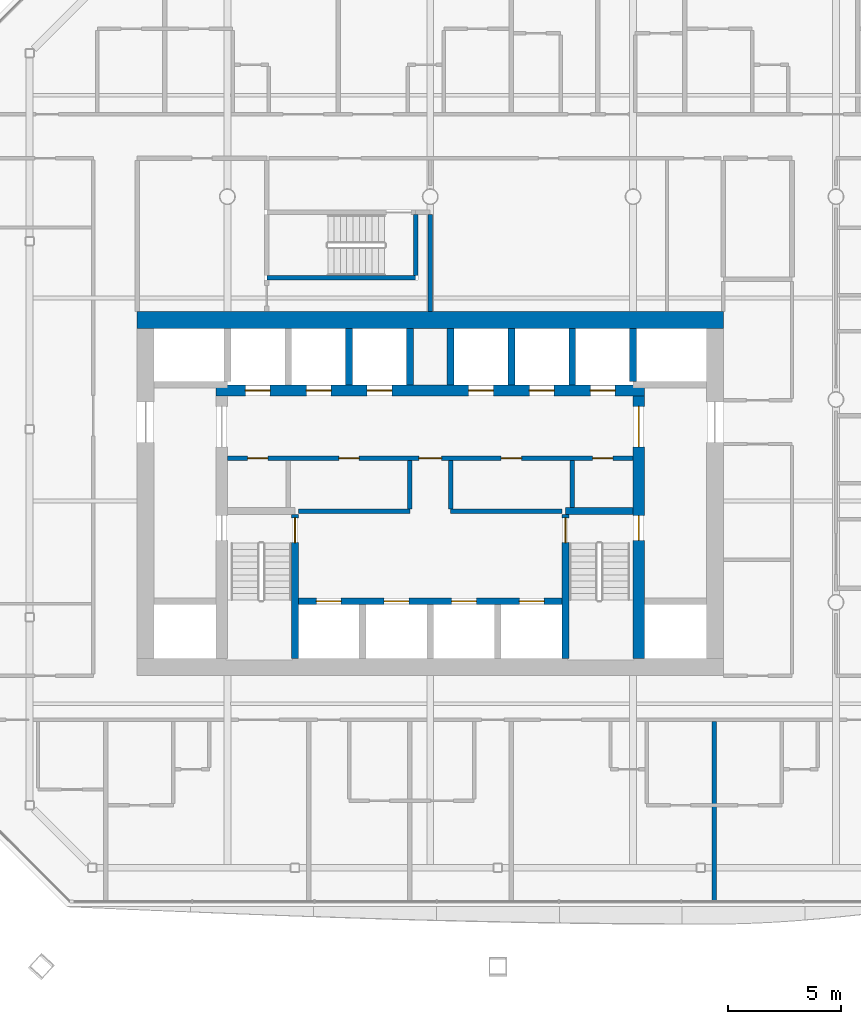
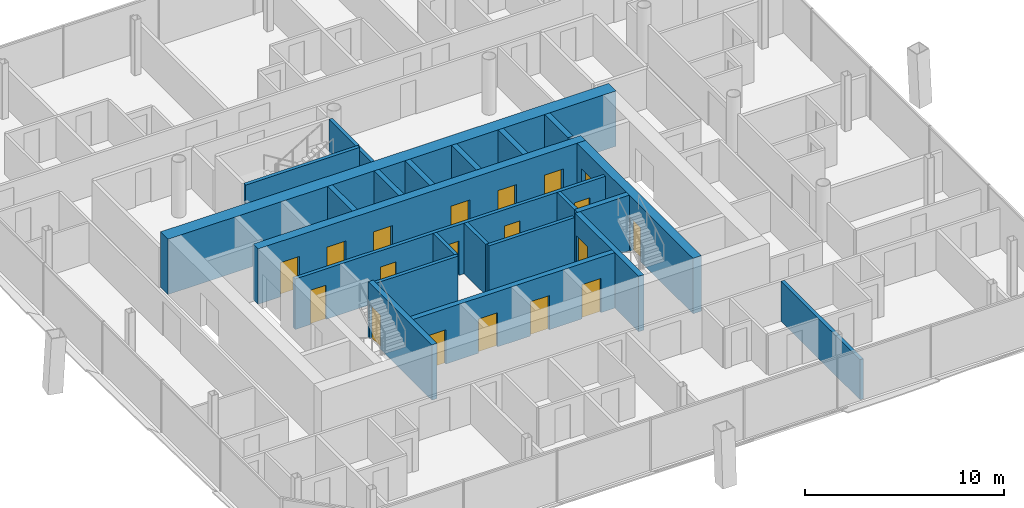
# One storey, part 12 of 18: 23 walls, 19 doors, 19 openings.
"""IFC4 building model written with IfcOpenShell, lengths in metres."""

from ifc_helpers import new_model, si_unit, direction, frame, frame_2d, origin, place, context, subcontext, project, spatial, rectangle, extrude, material, layer, layer_set, type_object, element, fill, save


model = new_model("IFC4")

# Units and contexts
model_context = context("Model", 3, precision=1e-05, world=origin(), true_north=direction((0.0, 1.0)))
body_context = subcontext(model_context, "Body", "Model", "MODEL_VIEW")
ifc_project = project(units=[si_unit("LENGTHUNIT", "METRE"), si_unit("AREAUNIT", "SQUARE_METRE"), si_unit("VOLUMEUNIT", "CUBIC_METRE"), si_unit("PLANEANGLEUNIT", "RADIAN"), si_unit("MASSUNIT", "GRAM", prefix="KILO")], contexts=[model_context])

# Site, building, storey
site_placement = place(None, origin())
site = spatial("IfcSite", under=ifc_project, at=site_placement, CompositionType="ELEMENT")
building_placement = place(site_placement, origin())
building = spatial("IfcBuilding", under=site, at=building_placement, Name="Tskaro Facet Tower", CompositionType="ELEMENT")
storey_placement = place(building_placement, frame((0.0, 0.0, 145.300048828125)))
storey = spatial("IfcBuildingStorey", under=building, at=storey_placement, Name="L35", CompositionType="ELEMENT", Elevation=145.300048828125)

# Wall, openings, doors
ifc_material_1 = material(Name="Concrete C60/75", Category="concrete")
ifc_layer_1 = layer(ifc_material_1, 0.300048828125, Name="Concrete C60/75")
ifc_layer_set_1 = layer_set([ifc_layer_1], Name="Concrete C60/75")
wall_type_1 = type_object("IfcWallType", Name="CORE-SHAFT", PredefinedType="SHEAR", material=ifc_layer_set_1)
wall_1_placement = place(storey_placement, frame((-5.85009765625, -8.949951171875, 0.0), z_axis=(0.0, 0.0, 1.0), x_axis=(1.0, 0.0, 0.0)))
wall_1 = element("IfcWall", 1, at=wall_1_placement, inside=storey, type_object=wall_type_1, Name="Shaft wall W014", PredefinedType="SHEAR", context=body_context, shape_type="SweptSolid", body=[
    extrude(rectangle(XDim=11.7001953125, YDim=0.300048828125, at=frame_2d((5.85009765625, 0.0))), origin(), (0.0, 0.0, 1.0), 3.39990234375),
])
opening_1_placement = place(wall_1_placement, frame((0.800048828125, 0.0, 0.0)))
opening_1 = element("IfcOpeningElement", 2, at=opening_1_placement, cuts=wall_1, Name="Opening LD-FF1", PredefinedType="OPENING", context=body_context, shape_type="SweptSolid", body=[
    extrude(rectangle(XDim=1.10009765625, YDim=2.10009765625, at=frame_2d((0.550048828125, 1.050048828125))), frame((0.0, 0.159912109375, 0.0), z_axis=(0.0, -1.0, 0.0), x_axis=(1.0, 0.0, 0.0)), (0.0, 0.0, 1.0), 0.320068359375),
])
opening_2_placement = place(wall_1_placement, frame((3.800048828125, 0.0, 0.0)))
opening_2 = element("IfcOpeningElement", 3, at=opening_2_placement, cuts=wall_1, Name="Opening LD-FF2", PredefinedType="OPENING", context=body_context, shape_type="SweptSolid", body=[
    extrude(rectangle(XDim=1.10009765625, YDim=2.10009765625, at=frame_2d((0.550048828125, 1.050048828125))), frame((0.0, 0.159912109375, 0.0), z_axis=(0.0, -1.0, 0.0), x_axis=(1.0, 0.0, 0.0)), (0.0, 0.0, 1.0), 0.320068359375),
])
opening_3_placement = place(wall_1_placement, frame((6.800048828125, 0.0, 0.0)))
opening_3 = element("IfcOpeningElement", 4, at=opening_3_placement, cuts=wall_1, Name="Opening LD-SV1", PredefinedType="OPENING", context=body_context, shape_type="SweptSolid", body=[
    extrude(rectangle(XDim=1.10009765625, YDim=2.10009765625, at=frame_2d((0.550048828125, 1.050048828125))), frame((0.0, 0.159912109375, 0.0), z_axis=(0.0, -1.0, 0.0), x_axis=(1.0, 0.0, 0.0)), (0.0, 0.0, 1.0), 0.320068359375),
])
opening_4_placement = place(wall_1_placement, frame((9.800048828125, 0.0, 0.0)))
opening_4 = element("IfcOpeningElement", 5, at=opening_4_placement, cuts=wall_1, Name="Opening LD-SV2", PredefinedType="OPENING", context=body_context, shape_type="SweptSolid", body=[
    extrude(rectangle(XDim=1.10009765625, YDim=2.10009765625, at=frame_2d((0.550048828125, 1.050048828125))), frame((0.0, 0.159912109375, 0.0), z_axis=(0.0, -1.0, 0.0), x_axis=(1.0, 0.0, 0.0)), (0.0, 0.0, 1.0), 0.320068359375),
])
ifc_material_2 = material(Name="Stainless steel", Category="steel")
door_type_1 = type_object("IfcDoorType", Name="D-LANDING", OperationType="NOTDEFINED", PredefinedType="DOOR", material=ifc_material_2)
door_1_placement = place(opening_1_placement, origin())
door_1 = element("IfcDoor", 6, at=door_1_placement, inside=storey, type_object=door_type_1, Name="Landing door FF1", OperationType="DOUBLE_DOOR_SLIDING", OverallHeight=2.10009765625, OverallWidth=1.10009765625, PredefinedType="DOOR", context=body_context, shape_type="SweptSolid", body=[
    extrude(rectangle(XDim=1.10009765625, YDim=2.10009765625, at=frame_2d((0.550048828125, 1.050048828125))), frame((0.0, 0.02490234375, 0.0), z_axis=(0.0, -1.0, 0.0), x_axis=(1.0, 0.0, 0.0)), (0.0, 0.0, 1.0), 0.050048828125),
])
fill(opening_1, door_1)
door_2_placement = place(opening_2_placement, origin())
door_2 = element("IfcDoor", 7, at=door_2_placement, inside=storey, type_object=door_type_1, Name="Landing door FF2", OperationType="DOUBLE_DOOR_SLIDING", OverallHeight=2.10009765625, OverallWidth=1.10009765625, PredefinedType="DOOR", context=body_context, shape_type="SweptSolid", body=[
    extrude(rectangle(XDim=1.10009765625, YDim=2.10009765625, at=frame_2d((0.550048828125, 1.050048828125))), frame((0.0, 0.02490234375, 0.0), z_axis=(0.0, -1.0, 0.0), x_axis=(1.0, 0.0, 0.0)), (0.0, 0.0, 1.0), 0.050048828125),
])
fill(opening_2, door_2)
door_3_placement = place(opening_3_placement, origin())
door_3 = element("IfcDoor", 8, at=door_3_placement, inside=storey, type_object=door_type_1, Name="Landing door SV1", OperationType="DOUBLE_DOOR_SLIDING", OverallHeight=2.10009765625, OverallWidth=1.10009765625, PredefinedType="DOOR", context=body_context, shape_type="SweptSolid", body=[
    extrude(rectangle(XDim=1.10009765625, YDim=2.10009765625, at=frame_2d((0.550048828125, 1.050048828125))), frame((0.0, 0.02490234375, 0.0), z_axis=(0.0, -1.0, 0.0), x_axis=(1.0, 0.0, 0.0)), (0.0, 0.0, 1.0), 0.050048828125),
])
fill(opening_3, door_3)
door_4_placement = place(opening_4_placement, origin())
door_4 = element("IfcDoor", 9, at=door_4_placement, inside=storey, type_object=door_type_1, Name="Landing door SV2", OperationType="DOUBLE_DOOR_SLIDING", OverallHeight=2.10009765625, OverallWidth=1.10009765625, PredefinedType="DOOR", context=body_context, shape_type="SweptSolid", body=[
    extrude(rectangle(XDim=1.10009765625, YDim=2.10009765625, at=frame_2d((0.550048828125, 1.050048828125))), frame((0.0, 0.02490234375, 0.0), z_axis=(0.0, -1.0, 0.0), x_axis=(1.0, 0.0, 0.0)), (0.0, 0.0, 1.0), 0.050048828125),
])
fill(opening_4, door_4)

# Wall
wall_2_placement = place(storey_placement, frame((6.0, -4.949951171875, 0.0), z_axis=(0.0, 0.0, 1.0), x_axis=(1.0, 0.0, 0.0)))
element("IfcWall", 10, at=wall_2_placement, inside=storey, type_object=wall_type_1, Name="Shaft wall W022", PredefinedType="SHEAR", context=body_context, shape_type="SweptSolid", body=[
    extrude(rectangle(XDim=3.0, YDim=0.300048828125, at=frame_2d((1.5, 0.0))), origin(), (0.0, 0.0, 1.0), 3.39990234375),
])

# Wall, opening, door
wall_3_placement = place(storey_placement, frame((-6.0, -11.5, 0.0), z_axis=(0.0, 0.0, 1.0), x_axis=(0.0, 1.0, 0.0)))
wall_3 = element("IfcWall", 11, at=wall_3_placement, inside=storey, type_object=wall_type_1, Name="Shaft wall W070", PredefinedType="SHEAR", context=body_context, shape_type="SweptSolid", body=[
    extrude(rectangle(XDim=6.39990234375, YDim=0.300048828125, at=frame_2d((3.199951171875, 0.0))), origin(), (0.0, 0.0, 1.0), 3.39990234375),
])
opening_5_placement = place(wall_3_placement, frame((5.14990234375, 0.0, 0.0)))
opening_5 = element("IfcOpeningElement", 12, at=opening_5_placement, cuts=wall_3, Name="Opening ST-1-D1", PredefinedType="OPENING", context=body_context, shape_type="SweptSolid", body=[
    extrude(rectangle(XDim=1.10009765625, YDim=2.10009765625, at=frame_2d((0.550048828125, 1.050048828125))), frame((0.0, 0.159912109375, 0.0), z_axis=(0.0, -1.0, 0.0), x_axis=(1.0, 0.0, 0.0)), (0.0, 0.0, 1.0), 0.320068359375),
])
ifc_material_3 = material(Name="Steel", Category="steel")
door_type_2 = type_object("IfcDoorType", Name="D-STAIR", OperationType="NOTDEFINED", PredefinedType="DOOR", material=ifc_material_3)
door_5_placement = place(opening_5_placement, origin())
door_5 = element("IfcDoor", 13, at=door_5_placement, inside=storey, type_object=door_type_2, Name="Stair door 1", OperationType="SINGLE_SWING_LEFT", OverallHeight=2.10009765625, OverallWidth=1.10009765625, PredefinedType="DOOR", context=body_context, shape_type="SweptSolid", body=[
    extrude(rectangle(XDim=1.10009765625, YDim=2.10009765625, at=frame_2d((0.550048828125, 1.050048828125))), frame((0.0, 0.02490234375, 0.0), z_axis=(0.0, -1.0, 0.0), x_axis=(1.0, 0.0, 0.0)), (0.0, 0.0, 1.0), 0.050048828125),
])
fill(opening_5, door_5)

# Walls
for number, where, z_axis, x_axis, name in (
    (14, (-3.60009765625, 0.64990234375, 0.0), (0.0, 0.0, 1.0), (0.0, 1.0, 0.0), "Shaft wall W074"),
    (15, (-0.89990234375, 0.64990234375, 0.0), (0.0, 0.0, 1.0), (0.0, 1.0, 0.0), "Shaft wall W079"),
    (16, (0.89990234375, 0.64990234375, 0.0), (0.0, 0.0, 1.0), (0.0, 1.0, 0.0), "Shaft wall W086"),
    (17, (3.60009765625, 0.64990234375, 0.0), (0.0, 0.0, 1.0), (0.0, 1.0, 0.0), "Shaft wall W090"),
):
    element("IfcWall", number, at=place(storey_placement, frame(where, z_axis=z_axis, x_axis=x_axis)), inside=storey, type_object=wall_type_1, Name=name, PredefinedType="SHEAR", context=body_context, shape_type="SweptSolid", body=[
        extrude(rectangle(XDim=2.5, YDim=0.300048828125, at=frame_2d((1.25, 0.0))), origin(), (0.0, 0.0, 1.0), 3.39990234375),
    ])

# Wall, opening, door
wall_4_placement = place(storey_placement, frame((6.0, -5.10009765625, 0.0), z_axis=(0.0, 0.0, 1.0), x_axis=(0.0, -1.0, 0.0)))
wall_4 = element("IfcWall", 18, at=wall_4_placement, inside=storey, type_object=wall_type_1, Name="Shaft wall W093", PredefinedType="SHEAR", context=body_context, shape_type="SweptSolid", body=[
    extrude(rectangle(XDim=6.39990234375, YDim=0.300048828125, at=frame_2d((3.199951171875, 0.0))), origin(), (0.0, 0.0, 1.0), 3.39990234375),
])
opening_6_placement = place(wall_4_placement, frame((0.14990234375, 0.0, 0.0)))
opening_6 = element("IfcOpeningElement", 19, at=opening_6_placement, cuts=wall_4, Name="Opening ST-2-D1", PredefinedType="OPENING", context=body_context, shape_type="SweptSolid", body=[
    extrude(rectangle(XDim=1.10009765625, YDim=2.10009765625, at=frame_2d((0.550048828125, 1.050048828125))), frame((0.0, 0.159912109375, 0.0), z_axis=(0.0, -1.0, 0.0), x_axis=(1.0, 0.0, 0.0)), (0.0, 0.0, 1.0), 0.320068359375),
])
door_6_placement = place(opening_6_placement, origin())
door_6 = element("IfcDoor", 20, at=door_6_placement, inside=storey, type_object=door_type_2, Name="Stair door 2", OperationType="SINGLE_SWING_RIGHT", OverallHeight=2.10009765625, OverallWidth=1.10009765625, PredefinedType="DOOR", context=body_context, shape_type="SweptSolid", body=[
    extrude(rectangle(XDim=1.10009765625, YDim=2.10009765625, at=frame_2d((0.550048828125, 1.050048828125))), frame((0.0, 0.02490234375, 0.0), z_axis=(0.0, -1.0, 0.0), x_axis=(1.0, 0.0, 0.0)), (0.0, 0.0, 1.0), 0.050048828125),
])
fill(opening_6, door_6)

# Walls
wall_5_placement = place(storey_placement, frame((6.300048828125, 0.64990234375, 0.0), z_axis=(0.0, 0.0, 1.0), x_axis=(0.0, 1.0, 0.0)))
element("IfcWall", 21, at=wall_5_placement, inside=storey, type_object=wall_type_1, Name="Shaft wall W095", PredefinedType="SHEAR", context=body_context, shape_type="SweptSolid", body=[
    extrude(rectangle(XDim=2.5, YDim=0.300048828125, at=frame_2d((1.25, 0.0))), origin(), (0.0, 0.0, 1.0), 3.39990234375),
])
wall_6_placement = place(storey_placement, frame((9.0, 0.800048828125, 0.0), z_axis=(0.0, 0.0, 1.0), x_axis=(0.0, 1.0, 0.0)))
element("IfcWall", 22, at=wall_6_placement, inside=storey, type_object=wall_type_1, Name="Shaft wall W098", PredefinedType="SHEAR", context=body_context, shape_type="SweptSolid", body=[
    extrude(rectangle(XDim=2.349853515625, YDim=0.300048828125, at=frame_2d((1.1748046875, 0.0))), origin(), (0.0, 0.0, 1.0), 3.39990234375),
])
ifc_material_4 = material(Name="Concrete C20/25", Category="concrete")
ifc_layer_2 = layer(ifc_material_4, 0.199951171875, Name="Concrete C20/25")
ifc_layer_set_2 = layer_set([ifc_layer_2], Name="Concrete C20/25")
wall_type_2 = type_object("IfcWallType", Name="CORE-WALL", PredefinedType="SOLIDWALL", material=ifc_layer_set_2)
for number, where, z_axis, x_axis, name in (
    (23, (-5.85009765625, -4.949951171875, 0.0), (0.0, 0.0, 1.0), (1.0, 0.0, 0.0), "Core room wall W020"),
    (24, (0.89990234375, -4.949951171875, 0.0), (0.0, 0.0, 1.0), (1.0, 0.0, 0.0), "Core room wall W021"),
):
    element("IfcWall", number, at=place(storey_placement, frame(where, z_axis=z_axis, x_axis=x_axis)), inside=storey, type_object=wall_type_2, Name=name, PredefinedType="SOLIDWALL", context=body_context, shape_type="SweptSolid", body=[
        extrude(rectangle(XDim=4.9501953125, YDim=0.199951171875, at=frame_2d((2.47509765625, 0.0))), origin(), (0.0, 0.0, 1.0), 3.099853515625),
    ])

# Wall, openings, doors
wall_7_placement = place(storey_placement, frame((9.0, -2.60009765625, 0.0), z_axis=(0.0, 0.0, 1.0), x_axis=(-1.0, 0.0, 0.0)))
wall_7 = element("IfcWall", 25, at=wall_7_placement, inside=storey, type_object=wall_type_2, Name="Core room wall W024", PredefinedType="SOLIDWALL", context=body_context, shape_type="SweptSolid", body=[
    extrude(rectangle(XDim=18.0, YDim=0.199951171875, at=frame_2d((9.0, 0.0))), origin(), (0.0, 0.0, 1.0), 3.099853515625),
])
opening_7_placement = place(wall_7_placement, frame((8.5, 0.0, 0.0)))
opening_7 = element("IfcOpeningElement", 26, at=opening_7_placement, cuts=wall_7, Name="Opening FL-D1", PredefinedType="OPENING", context=body_context, shape_type="SweptSolid", body=[
    extrude(rectangle(XDim=1.0, YDim=2.10009765625, at=frame_2d((0.5, 1.050048828125))), frame((0.0, 0.10986328125, 0.0), z_axis=(0.0, -1.0, 0.0), x_axis=(1.0, 0.0, 0.0)), (0.0, 0.0, 1.0), 0.219970703125),
])
opening_8_placement = place(wall_7_placement, frame((16.199951171875, 0.0, 0.0)))
opening_8 = element("IfcOpeningElement", 27, at=opening_8_placement, cuts=wall_7, Name="Opening T10-D24", PredefinedType="OPENING", context=body_context, shape_type="SweptSolid", body=[
    extrude(rectangle(XDim=0.89990234375, YDim=2.10009765625, at=frame_2d((0.449951171875, 1.050048828125))), frame((0.0, 0.10986328125, 0.0), z_axis=(0.0, -1.0, 0.0), x_axis=(1.0, 0.0, 0.0)), (0.0, 0.0, 1.0), 0.219970703125),
])
opening_9_placement = place(wall_7_placement, frame((12.14990234375, 0.0, 0.0)))
opening_9 = element("IfcOpeningElement", 28, at=opening_9_placement, cuts=wall_7, Name="Opening T10-D25", PredefinedType="OPENING", context=body_context, shape_type="SweptSolid", body=[
    extrude(rectangle(XDim=0.89990234375, YDim=2.10009765625, at=frame_2d((0.449951171875, 1.050048828125))), frame((0.0, 0.10986328125, 0.0), z_axis=(0.0, -1.0, 0.0), x_axis=(1.0, 0.0, 0.0)), (0.0, 0.0, 1.0), 0.219970703125),
])
opening_10_placement = place(wall_7_placement, frame((4.949951171875, 0.0, 0.0)))
opening_10 = element("IfcOpeningElement", 29, at=opening_10_placement, cuts=wall_7, Name="Opening T10-D26", PredefinedType="OPENING", context=body_context, shape_type="SweptSolid", body=[
    extrude(rectangle(XDim=0.89990234375, YDim=2.10009765625, at=frame_2d((0.449951171875, 1.050048828125))), frame((0.0, 0.10986328125, 0.0), z_axis=(0.0, -1.0, 0.0), x_axis=(1.0, 0.0, 0.0)), (0.0, 0.0, 1.0), 0.219970703125),
])
opening_11_placement = place(wall_7_placement, frame((0.89990234375, 0.0, 0.0)))
opening_11 = element("IfcOpeningElement", 30, at=opening_11_placement, cuts=wall_7, Name="Opening T10-D27", PredefinedType="OPENING", context=body_context, shape_type="SweptSolid", body=[
    extrude(rectangle(XDim=0.89990234375, YDim=2.10009765625, at=frame_2d((0.449951171875, 1.050048828125))), frame((0.0, 0.10986328125, 0.0), z_axis=(0.0, -1.0, 0.0), x_axis=(1.0, 0.0, 0.0)), (0.0, 0.0, 1.0), 0.219970703125),
])
door_type_3 = type_object("IfcDoorType", Name="D-LOBBY", OperationType="NOTDEFINED", PredefinedType="DOOR", material=ifc_material_3)
door_7_placement = place(opening_7_placement, origin())
door_7 = element("IfcDoor", 31, at=door_7_placement, inside=storey, type_object=door_type_3, Name="Lobby door FL", OperationType="SINGLE_SWING_RIGHT", OverallHeight=2.10009765625, OverallWidth=1.0, PredefinedType="DOOR", context=body_context, shape_type="SweptSolid", body=[
    extrude(rectangle(XDim=1.0, YDim=2.10009765625, at=frame_2d((0.5, 1.050048828125))), frame((0.0, 0.02490234375, 0.0), z_axis=(0.0, -1.0, 0.0), x_axis=(1.0, 0.0, 0.0)), (0.0, 0.0, 1.0), 0.050048828125),
])
fill(opening_7, door_7)
ifc_material_5 = material(Name="Timber", Category="wood")
door_type_4 = type_object("IfcDoorType", Name="D-ROOM", OperationType="NOTDEFINED", PredefinedType="DOOR", material=ifc_material_5)
door_8_placement = place(opening_8_placement, origin())
door_8 = element("IfcDoor", 32, at=door_8_placement, inside=storey, type_object=door_type_4, Name="Door T10-D24", OperationType="SINGLE_SWING_RIGHT", OverallHeight=2.10009765625, OverallWidth=0.89990234375, PredefinedType="DOOR", context=body_context, shape_type="SweptSolid", body=[
    extrude(rectangle(XDim=0.89990234375, YDim=2.10009765625, at=frame_2d((0.449951171875, 1.050048828125))), frame((0.0, 0.02490234375, 0.0), z_axis=(0.0, -1.0, 0.0), x_axis=(1.0, 0.0, 0.0)), (0.0, 0.0, 1.0), 0.050048828125),
])
fill(opening_8, door_8)
door_9_placement = place(opening_9_placement, origin())
door_9 = element("IfcDoor", 33, at=door_9_placement, inside=storey, type_object=door_type_4, Name="Door T10-D25", OperationType="SINGLE_SWING_RIGHT", OverallHeight=2.10009765625, OverallWidth=0.89990234375, PredefinedType="DOOR", context=body_context, shape_type="SweptSolid", body=[
    extrude(rectangle(XDim=0.89990234375, YDim=2.10009765625, at=frame_2d((0.449951171875, 1.050048828125))), frame((0.0, 0.02490234375, 0.0), z_axis=(0.0, -1.0, 0.0), x_axis=(1.0, 0.0, 0.0)), (0.0, 0.0, 1.0), 0.050048828125),
])
fill(opening_9, door_9)
door_10_placement = place(opening_10_placement, origin())
door_10 = element("IfcDoor", 34, at=door_10_placement, inside=storey, type_object=door_type_4, Name="Door T10-D26", OperationType="SINGLE_SWING_RIGHT", OverallHeight=2.10009765625, OverallWidth=0.89990234375, PredefinedType="DOOR", context=body_context, shape_type="SweptSolid", body=[
    extrude(rectangle(XDim=0.89990234375, YDim=2.10009765625, at=frame_2d((0.449951171875, 1.050048828125))), frame((0.0, 0.02490234375, 0.0), z_axis=(0.0, -1.0, 0.0), x_axis=(1.0, 0.0, 0.0)), (0.0, 0.0, 1.0), 0.050048828125),
])
fill(opening_10, door_10)
door_11_placement = place(opening_11_placement, origin())
door_11 = element("IfcDoor", 35, at=door_11_placement, inside=storey, type_object=door_type_4, Name="Door T10-D27", OperationType="SINGLE_SWING_RIGHT", OverallHeight=2.10009765625, OverallWidth=0.89990234375, PredefinedType="DOOR", context=body_context, shape_type="SweptSolid", body=[
    extrude(rectangle(XDim=0.89990234375, YDim=2.10009765625, at=frame_2d((0.449951171875, 1.050048828125))), frame((0.0, 0.02490234375, 0.0), z_axis=(0.0, -1.0, 0.0), x_axis=(1.0, 0.0, 0.0)), (0.0, 0.0, 1.0), 0.050048828125),
])
fill(opening_11, door_11)

# Walls
for number, where, z_axis, x_axis, name in (
    (36, (-0.89990234375, -4.85009765625, 0.0), (0.0, 0.0, 1.0), (0.0, 1.0, 0.0), "Core room wall W078"),
    (37, (0.89990234375, -4.85009765625, 0.0), (0.0, 0.0, 1.0), (0.0, 1.0, 0.0), "Core room wall W085"),
):
    element("IfcWall", number, at=place(storey_placement, frame(where, z_axis=z_axis, x_axis=x_axis)), inside=storey, type_object=wall_type_2, Name=name, PredefinedType="SOLIDWALL", context=body_context, shape_type="SweptSolid", body=[
        extrude(rectangle(XDim=2.150146484375, YDim=0.199951171875, at=frame_2d((1.0751953125, 0.0))), origin(), (0.0, 0.0, 1.0), 3.099853515625),
    ])
wall_8_placement = place(storey_placement, frame((6.300048828125, -4.800048828125, 0.0), z_axis=(0.0, 0.0, 1.0), x_axis=(0.0, 1.0, 0.0)))
element("IfcWall", 38, at=wall_8_placement, inside=storey, type_object=wall_type_2, Name="Core room wall W094", PredefinedType="SOLIDWALL", context=body_context, shape_type="SweptSolid", body=[
    extrude(rectangle(XDim=2.10009765625, YDim=0.199951171875, at=frame_2d((1.050048828125, 0.0))), origin(), (0.0, 0.0, 1.0), 3.099853515625),
])

# Wall, openings, doors
ifc_material_6 = material(Name="Concrete C40/50", Category="concrete")
ifc_layer_3 = layer(ifc_material_6, 0.5, Name="Concrete C40/50")
ifc_layer_set_3 = layer_set([ifc_layer_3], Name="Concrete C40/50")
wall_type_3 = type_object("IfcWallType", Name="Core wall 500", PredefinedType="SHEAR", material=ifc_layer_set_3)
wall_9_placement = place(storey_placement, frame((-9.5, 0.39990234375, 0.0), z_axis=(0.0, 0.0, 1.0), x_axis=(1.0, 0.0, 0.0)))
wall_9 = element("IfcWall", 39, at=wall_9_placement, inside=storey, type_object=wall_type_3, Name="Core wall CW-Z3N", PredefinedType="SHEAR", context=body_context, shape_type="SweptSolid", body=[
    extrude(rectangle(XDim=19.0, YDim=0.5, at=frame_2d((9.5, 0.0))), origin(), (0.0, 0.0, 1.0), 3.39990234375),
])
opening_12_placement = place(wall_9_placement, frame((1.300048828125, 0.0, 0.0)))
opening_12 = element("IfcOpeningElement", 40, at=opening_12_placement, cuts=wall_9, Name="Opening LD-MB1", PredefinedType="OPENING", context=body_context, shape_type="SweptSolid", body=[
    extrude(rectangle(XDim=1.10009765625, YDim=2.10009765625, at=frame_2d((0.550048828125, 1.050048828125))), frame((0.0, 0.260009765625, 0.0), z_axis=(0.0, -1.0, 0.0), x_axis=(1.0, 0.0, 0.0)), (0.0, 0.0, 1.0), 0.52001953125),
])
opening_13_placement = place(wall_9_placement, frame((4.0, 0.0, 0.0)))
opening_13 = element("IfcOpeningElement", 41, at=opening_13_placement, cuts=wall_9, Name="Opening LD-MB2", PredefinedType="OPENING", context=body_context, shape_type="SweptSolid", body=[
    extrude(rectangle(XDim=1.10009765625, YDim=2.10009765625, at=frame_2d((0.550048828125, 1.050048828125))), frame((0.0, 0.260009765625, 0.0), z_axis=(0.0, -1.0, 0.0), x_axis=(1.0, 0.0, 0.0)), (0.0, 0.0, 1.0), 0.52001953125),
])
opening_14_placement = place(wall_9_placement, frame((6.699951171875, 0.0, 0.0)))
opening_14 = element("IfcOpeningElement", 42, at=opening_14_placement, cuts=wall_9, Name="Opening LD-MB3", PredefinedType="OPENING", context=body_context, shape_type="SweptSolid", body=[
    extrude(rectangle(XDim=1.10009765625, YDim=2.10009765625, at=frame_2d((0.550048828125, 1.050048828125))), frame((0.0, 0.260009765625, 0.0), z_axis=(0.0, -1.0, 0.0), x_axis=(1.0, 0.0, 0.0)), (0.0, 0.0, 1.0), 0.52001953125),
])
opening_15_placement = place(wall_9_placement, frame((11.199951171875, 0.0, 0.0)))
opening_15 = element("IfcOpeningElement", 43, at=opening_15_placement, cuts=wall_9, Name="Opening LD-MB4", PredefinedType="OPENING", context=body_context, shape_type="SweptSolid", body=[
    extrude(rectangle(XDim=1.10009765625, YDim=2.10009765625, at=frame_2d((0.550048828125, 1.050048828125))), frame((0.0, 0.260009765625, 0.0), z_axis=(0.0, -1.0, 0.0), x_axis=(1.0, 0.0, 0.0)), (0.0, 0.0, 1.0), 0.52001953125),
])
opening_16_placement = place(wall_9_placement, frame((13.89990234375, 0.0, 0.0)))
opening_16 = element("IfcOpeningElement", 44, at=opening_16_placement, cuts=wall_9, Name="Opening LD-MB5", PredefinedType="OPENING", context=body_context, shape_type="SweptSolid", body=[
    extrude(rectangle(XDim=1.10009765625, YDim=2.10009765625, at=frame_2d((0.550048828125, 1.050048828125))), frame((0.0, 0.260009765625, 0.0), z_axis=(0.0, -1.0, 0.0), x_axis=(1.0, 0.0, 0.0)), (0.0, 0.0, 1.0), 0.52001953125),
])
opening_17_placement = place(wall_9_placement, frame((16.60009765625, 0.0, 0.0)))
opening_17 = element("IfcOpeningElement", 45, at=opening_17_placement, cuts=wall_9, Name="Opening LD-MB6", PredefinedType="OPENING", context=body_context, shape_type="SweptSolid", body=[
    extrude(rectangle(XDim=1.10009765625, YDim=2.10009765625, at=frame_2d((0.550048828125, 1.050048828125))), frame((0.0, 0.260009765625, 0.0), z_axis=(0.0, -1.0, 0.0), x_axis=(1.0, 0.0, 0.0)), (0.0, 0.0, 1.0), 0.52001953125),
])
door_12_placement = place(opening_12_placement, origin())
door_12 = element("IfcDoor", 46, at=door_12_placement, inside=storey, type_object=door_type_1, Name="Landing door MB1", OperationType="DOUBLE_DOOR_SLIDING", OverallHeight=2.10009765625, OverallWidth=1.10009765625, PredefinedType="DOOR", context=body_context, shape_type="SweptSolid", body=[
    extrude(rectangle(XDim=1.10009765625, YDim=2.10009765625, at=frame_2d((0.550048828125, 1.050048828125))), frame((0.0, 0.02490234375, 0.0), z_axis=(0.0, -1.0, 0.0), x_axis=(1.0, 0.0, 0.0)), (0.0, 0.0, 1.0), 0.050048828125),
])
fill(opening_12, door_12)
door_13_placement = place(opening_13_placement, origin())
door_13 = element("IfcDoor", 47, at=door_13_placement, inside=storey, type_object=door_type_1, Name="Landing door MB2", OperationType="DOUBLE_DOOR_SLIDING", OverallHeight=2.10009765625, OverallWidth=1.10009765625, PredefinedType="DOOR", context=body_context, shape_type="SweptSolid", body=[
    extrude(rectangle(XDim=1.10009765625, YDim=2.10009765625, at=frame_2d((0.550048828125, 1.050048828125))), frame((0.0, 0.02490234375, 0.0), z_axis=(0.0, -1.0, 0.0), x_axis=(1.0, 0.0, 0.0)), (0.0, 0.0, 1.0), 0.050048828125),
])
fill(opening_13, door_13)
door_14_placement = place(opening_14_placement, origin())
door_14 = element("IfcDoor", 48, at=door_14_placement, inside=storey, type_object=door_type_1, Name="Landing door MB3", OperationType="DOUBLE_DOOR_SLIDING", OverallHeight=2.10009765625, OverallWidth=1.10009765625, PredefinedType="DOOR", context=body_context, shape_type="SweptSolid", body=[
    extrude(rectangle(XDim=1.10009765625, YDim=2.10009765625, at=frame_2d((0.550048828125, 1.050048828125))), frame((0.0, 0.02490234375, 0.0), z_axis=(0.0, -1.0, 0.0), x_axis=(1.0, 0.0, 0.0)), (0.0, 0.0, 1.0), 0.050048828125),
])
fill(opening_14, door_14)
door_15_placement = place(opening_15_placement, origin())
door_15 = element("IfcDoor", 49, at=door_15_placement, inside=storey, type_object=door_type_1, Name="Landing door MB4", OperationType="DOUBLE_DOOR_SLIDING", OverallHeight=2.10009765625, OverallWidth=1.10009765625, PredefinedType="DOOR", context=body_context, shape_type="SweptSolid", body=[
    extrude(rectangle(XDim=1.10009765625, YDim=2.10009765625, at=frame_2d((0.550048828125, 1.050048828125))), frame((0.0, 0.02490234375, 0.0), z_axis=(0.0, -1.0, 0.0), x_axis=(1.0, 0.0, 0.0)), (0.0, 0.0, 1.0), 0.050048828125),
])
fill(opening_15, door_15)
door_16_placement = place(opening_16_placement, origin())
door_16 = element("IfcDoor", 50, at=door_16_placement, inside=storey, type_object=door_type_1, Name="Landing door MB5", OperationType="DOUBLE_DOOR_SLIDING", OverallHeight=2.10009765625, OverallWidth=1.10009765625, PredefinedType="DOOR", context=body_context, shape_type="SweptSolid", body=[
    extrude(rectangle(XDim=1.10009765625, YDim=2.10009765625, at=frame_2d((0.550048828125, 1.050048828125))), frame((0.0, 0.02490234375, 0.0), z_axis=(0.0, -1.0, 0.0), x_axis=(1.0, 0.0, 0.0)), (0.0, 0.0, 1.0), 0.050048828125),
])
fill(opening_16, door_16)
door_17_placement = place(opening_17_placement, origin())
door_17 = element("IfcDoor", 51, at=door_17_placement, inside=storey, type_object=door_type_1, Name="Landing door MB6", OperationType="DOUBLE_DOOR_SLIDING", OverallHeight=2.10009765625, OverallWidth=1.10009765625, PredefinedType="DOOR", context=body_context, shape_type="SweptSolid", body=[
    extrude(rectangle(XDim=1.10009765625, YDim=2.10009765625, at=frame_2d((0.550048828125, 1.050048828125))), frame((0.0, 0.02490234375, 0.0), z_axis=(0.0, -1.0, 0.0), x_axis=(1.0, 0.0, 0.0)), (0.0, 0.0, 1.0), 0.050048828125),
])
fill(opening_17, door_17)

wall_10_placement = place(storey_placement, frame((9.25, -11.5, 0.0), z_axis=(0.0, 0.0, 1.0), x_axis=(0.0, 1.0, 0.0)))
wall_10 = element("IfcWall", 52, at=wall_10_placement, inside=storey, type_object=wall_type_3, Name="Core wall CW-Z3E", PredefinedType="SHEAR", context=body_context, shape_type="SweptSolid", body=[
    extrude(rectangle(XDim=11.64990234375, YDim=0.5, at=frame_2d((5.824951171875, 0.0))), origin(), (0.0, 0.0, 1.0), 3.39990234375),
])
opening_18_placement = place(wall_10_placement, frame((9.39990234375, 0.0, 0.0)))
opening_18 = element("IfcOpeningElement", 53, at=opening_18_placement, cuts=wall_10, Name="Opening T10-D31", PredefinedType="OPENING", context=body_context, shape_type="SweptSolid", body=[
    extrude(rectangle(XDim=1.800048828125, YDim=2.10009765625, at=frame_2d((0.89990234375, 1.050048828125))), frame((0.0, 0.260009765625, 0.0), z_axis=(0.0, -1.0, 0.0), x_axis=(1.0, 0.0, 0.0)), (0.0, 0.0, 1.0), 0.52001953125),
])
opening_19_placement = place(wall_10_placement, frame((5.25, 0.0, 0.0)))
opening_19 = element("IfcOpeningElement", 54, at=opening_19_placement, cuts=wall_10, Name="Opening ST-2-D2", PredefinedType="OPENING", context=body_context, shape_type="SweptSolid", body=[
    extrude(rectangle(XDim=1.10009765625, YDim=2.10009765625, at=frame_2d((0.550048828125, 1.050048828125))), frame((0.0, 0.260009765625, 0.0), z_axis=(0.0, -1.0, 0.0), x_axis=(1.0, 0.0, 0.0)), (0.0, 0.0, 1.0), 0.52001953125),
])
door_type_5 = type_object("IfcDoorType", Name="D-CORE-PAIR", OperationType="NOTDEFINED", PredefinedType="DOOR", material=ifc_material_3)
door_18_placement = place(opening_18_placement, origin())
door_18 = element("IfcDoor", 55, at=door_18_placement, inside=storey, type_object=door_type_5, Name="Door T10-D31", OperationType="DOUBLE_DOOR_SINGLE_SWING", OverallHeight=2.10009765625, OverallWidth=1.800048828125, PredefinedType="DOOR", context=body_context, shape_type="SweptSolid", body=[
    extrude(rectangle(XDim=1.800048828125, YDim=2.10009765625, at=frame_2d((0.89990234375, 1.050048828125))), frame((0.0, 0.02490234375, 0.0), z_axis=(0.0, -1.0, 0.0), x_axis=(1.0, 0.0, 0.0)), (0.0, 0.0, 1.0), 0.050048828125),
])
fill(opening_18, door_18)
door_19_placement = place(opening_19_placement, origin())
door_19 = element("IfcDoor", 56, at=door_19_placement, inside=storey, type_object=door_type_2, Name="Stair door 2 east", OperationType="SINGLE_SWING_LEFT", OverallHeight=2.10009765625, OverallWidth=1.10009765625, PredefinedType="DOOR", context=body_context, shape_type="SweptSolid", body=[
    extrude(rectangle(XDim=1.10009765625, YDim=2.10009765625, at=frame_2d((0.550048828125, 1.050048828125))), frame((0.0, 0.02490234375, 0.0), z_axis=(0.0, -1.0, 0.0), x_axis=(1.0, 0.0, 0.0)), (0.0, 0.0, 1.0), 0.050048828125),
])
fill(opening_19, door_19)

# Walls
ifc_material_7 = material(Name="Concrete C50/60", Category="concrete")
ifc_layer_4 = layer(ifc_material_7, 0.75, Name="Concrete C50/60")
ifc_layer_set_4 = layer_set([ifc_layer_4], Name="Concrete C50/60")
wall_type_4 = type_object("IfcWallType", Name="Core wall 750", PredefinedType="SHEAR", material=ifc_layer_set_4)
wall_11_placement = place(storey_placement, frame((-13.0, 3.52490234375, 0.0), z_axis=(0.0, 0.0, 1.0), x_axis=(1.0, 0.0, 0.0)))
element("IfcWall", 57, at=wall_11_placement, inside=storey, type_object=wall_type_4, Name="Core wall CW-Z2N", PredefinedType="SHEAR", context=body_context, shape_type="SweptSolid", body=[
    extrude(rectangle(XDim=26.0, YDim=0.75, at=frame_2d((13.0, 0.0))), origin(), (0.0, 0.0, 1.0), 3.39990234375),
])
ifc_material_8 = material(Name="Gypsum board on steel studs", Category="steel")
ifc_layer_5 = layer(ifc_material_8, 0.199951171875, Name="Gypsum board on steel studs")
ifc_layer_set_5 = layer_set([ifc_layer_5], Name="Gypsum board on steel studs")
wall_type_5 = type_object("IfcWallType", Name="PART-DEMISING", PredefinedType="PARTITIONING", material=ifc_layer_set_5)
wall_12_placement = place(storey_placement, frame((12.60009765625, -22.221923828125, 0.0), z_axis=(0.0, 0.0, 1.0), x_axis=(0.0, 1.0, 0.0)))
element("IfcWall", 58, at=wall_12_placement, inside=storey, type_object=wall_type_5, Name="Guest room wall W103", PredefinedType="PARTITIONING", context=body_context, shape_type="SweptSolid", body=[
    extrude(rectangle(XDim=7.947021484375, YDim=0.199951171875, at=frame_2d((3.9736328125, 0.0))), origin(), (0.0, 0.0, 1.0), 2.4599609375),
])
ifc_layer_6 = layer(ifc_material_1, 0.199951171875, Name="Concrete C60/75")
ifc_layer_set_6 = layer_set([ifc_layer_6], Name="Concrete C60/75")
wall_type_6 = type_object("IfcWallType", Name="STAIR-WALL", PredefinedType="SHEAR", material=ifc_layer_set_6)
wall_13_placement = place(storey_placement, frame((-7.25, 5.39990234375, 0.0), z_axis=(0.0, 0.0, 1.0), x_axis=(1.0, 0.0, 0.0)))
element("IfcWall", 59, at=wall_13_placement, inside=storey, type_object=wall_type_6, Name="Stair wall W033", PredefinedType="SHEAR", context=body_context, shape_type="SweptSolid", body=[
    extrude(rectangle(XDim=6.60009765625, YDim=0.199951171875, at=frame_2d((3.300048828125, 0.0))), origin(), (0.0, 0.0, 1.0), 3.39990234375),
])
wall_14_placement = place(storey_placement, frame((-0.64990234375, 5.5, 0.0), z_axis=(0.0, 0.0, 1.0), x_axis=(0.0, 1.0, 0.0)))
element("IfcWall", 60, at=wall_14_placement, inside=storey, type_object=wall_type_6, Name="Stair wall W080", PredefinedType="SHEAR", context=body_context, shape_type="SweptSolid", body=[
    extrude(rectangle(XDim=2.699951171875, YDim=0.199951171875, at=frame_2d((1.35009765625, 0.0))), origin(), (0.0, 0.0, 1.0), 3.39990234375),
])
ifc_layer_7 = layer(ifc_material_4, 0.199951171875, Name="Concrete C20/25")
ifc_layer_set_7 = layer_set([ifc_layer_7], Name="Concrete C20/25")
wall_type_7 = type_object("IfcWallType", Name="WALL-RISER", PredefinedType="SOLIDWALL", material=ifc_layer_set_7)
wall_15_placement = place(storey_placement, frame((0.0, 3.89990234375, 0.0), z_axis=(0.0, 0.0, 1.0), x_axis=(0.0, 1.0, 0.0)))
element("IfcWall", 61, at=wall_15_placement, inside=storey, type_object=wall_type_7, Name="Riser room wall W082", PredefinedType="SOLIDWALL", context=body_context, shape_type="SweptSolid", body=[
    extrude(rectangle(XDim=4.300048828125, YDim=0.199951171875, at=frame_2d((2.14990234375, 0.0))), origin(), (0.0, 0.0, 1.0), 2.4599609375),
])

save(model, "model.ifc")
